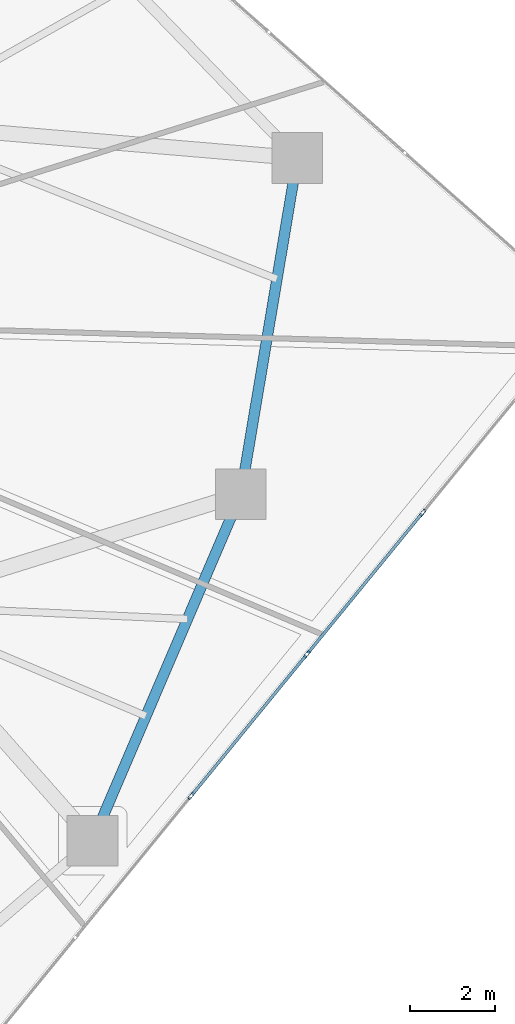
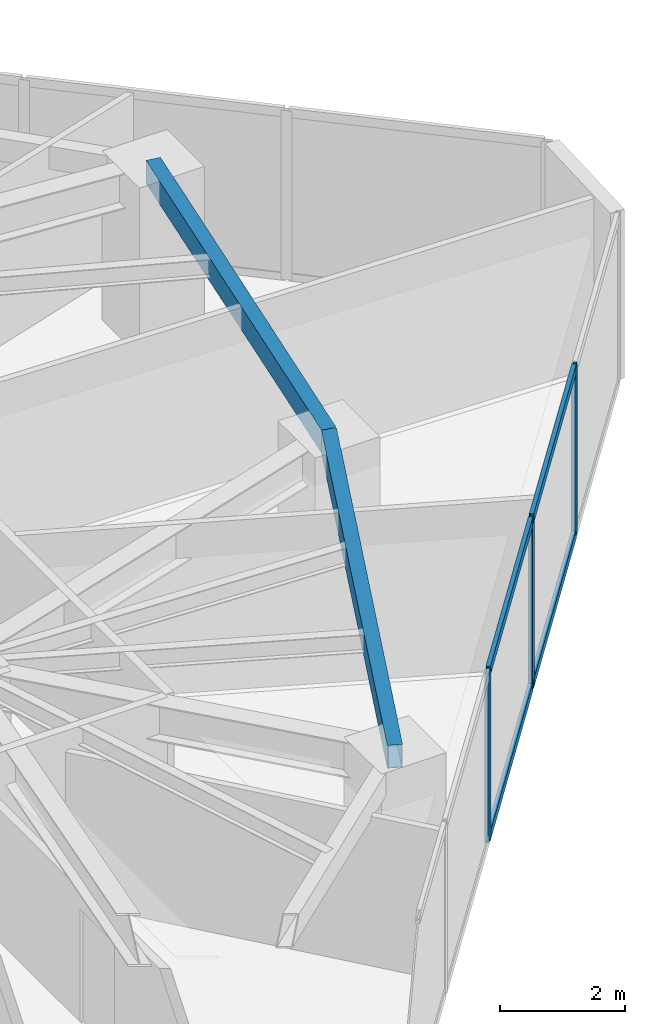
# One storey, part 12 of 24: 7 members, 2 beams, 1 element without a shape of its own.
"""IFC4 building model written with IfcOpenShell, lengths in metres."""

from ifc_helpers import new_model, si_unit, direction, frame, origin, origin_2d, place, context, subcontext, project, spatial, hollow_rectangle, extrude, source, transform, mapped, material, layer, layer_set, material_profile, profile_set, type_object, type_shapes, element, aggregate, save


model = new_model("IFC4")

# Units and contexts
model_context = context("Model", 3, precision=1e-05, world=origin(), true_north=direction((0.0, 1.0)))
body_context = subcontext(model_context, "Body", "Model", "MODEL_VIEW")
ifc_project = project(units=[si_unit("LENGTHUNIT", "METRE"), si_unit("AREAUNIT", "SQUARE_METRE"), si_unit("VOLUMEUNIT", "CUBIC_METRE"), si_unit("PLANEANGLEUNIT", "RADIAN"), si_unit("MASSUNIT", "GRAM", prefix="KILO")], contexts=[model_context])

# Site, building, storey
site_placement = place(None, origin())
site = spatial("IfcSite", under=ifc_project, at=site_placement, CompositionType="ELEMENT")
building_placement = place(site_placement, origin())
building = spatial("IfcBuilding", under=site, at=building_placement, Name="Talar Marvaseh", CompositionType="ELEMENT")
storey_placement = place(building_placement, frame((0.0, 0.0, 111.0)))
storey = spatial("IfcBuildingStorey", under=building, at=storey_placement, Name="L28", CompositionType="ELEMENT", Elevation=111.0)

# Beams
ifc_material_1 = material(Name="Steel S355", Category="steel")
ifc_material_profile_1 = material_profile(ifc_material_1, hollow_rectangle(XDim=0.25, YDim=0.449951171875, WallThickness=0.01611328125, at=origin_2d()), Name="RHS450x250x16")
ifc_profile_set_1 = profile_set([ifc_material_profile_1], Name="Steel S355")
beam_type = type_object("IfcBeamType", Name="Zone 2 Perimeter Spandrel Beam RHS450x250x16", PredefinedType="SPANDREL", material=ifc_profile_set_1)
beam_1_placement = place(storey_placement, frame((43.0439453125, 36.075927734375, 3.0849609375), z_axis=(-0.165641685249, -0.986186002795, 0.0), x_axis=(0.986186002795, -0.165641685249, 0.0)))
element("IfcBeam", 1, at=beam_1_placement, inside=storey, type_object=beam_type, Name="L28 Zone 2 Perimeter Spandrel Beam RHS450x250x16", PredefinedType="SPANDREL", context=body_context, shape_type="SweptSolid", body=[
    extrude(hollow_rectangle(XDim=0.25, YDim=0.449951171875, WallThickness=0.01611328125, at=origin_2d()), origin(), (0.0, 0.0, 1.0), 8.059326171875),
])
beam_2_placement = place(storey_placement, frame((41.708984375, 28.1279296875, 3.0849609375), z_axis=(-0.393369955619, -0.919380268451, 0.0), x_axis=(0.919380268451, -0.393369955619, 0.0)))
element("IfcBeam", 2, at=beam_2_placement, inside=storey, type_object=beam_type, Name="L28 Zone 2 Perimeter Spandrel Beam RHS450x250x16", PredefinedType="SPANDREL", context=body_context, shape_type="SweptSolid", body=[
    extrude(hollow_rectangle(XDim=0.25, YDim=0.449951171875, WallThickness=0.01611328125, at=origin_2d()), origin(), (0.0, 0.0, 1.0), 8.905029296875),
])

# Curtain wall, members
ifc_material_2 = material(Name="Architectural Aluminium", Category="aluminium")
ifc_layer = layer(ifc_material_2, 0.199951171875)
ifc_layer_set = layer_set([ifc_layer], Name="Architectural Aluminium")
curtain_wall_type = type_object("IfcCurtainWallType", Name="Unitised Acoustic Library Curtain Wall Z2", PredefinedType="NOTDEFINED", material=ifc_layer_set)
curtain_wall_placement = place(storey_placement, origin())
curtain_wall = element("IfcCurtainWall", 3, at=curtain_wall_placement, inside=storey, type_object=curtain_wall_type, Name="L28 Unitised Acoustic Library Curtain Wall Z2", PredefinedType="NOTDEFINED")
ifc_material_profile_2 = material_profile(ifc_material_2, hollow_rectangle(XDim=0.074951171875, YDim=0.179931640625, WallThickness=0.0048828125, at=origin_2d()), Name="RHS180x75x5")
ifc_profile_set_2 = profile_set([ifc_material_profile_2], Name="Architectural Aluminium")
member_type_1 = type_object("IfcMemberType", Name="Unitised Curtain Wall Standard Mullion RHS180x75x5", PredefinedType="MULLION", material=ifc_profile_set_2)
shared_shape_1 = source(origin(), body_context, "Body", "SweptSolid", [
    extrude(hollow_rectangle(XDim=0.074951171875, YDim=0.179931640625, WallThickness=0.0048828125, at=origin_2d()), origin(), (0.0, 0.0, 1.0), 3.31005859375),
])
type_shapes(member_type_1, [shared_shape_1])
member_1_placement = place(storey_placement, frame((46.00732421875, 27.697509765625, 0.0), z_axis=(0.0, 0.0, 1.0), x_axis=(0.774295813589, -0.632823824661, 0.0)))
member_1 = element("IfcMember", 4, at=member_1_placement, type_object=member_type_1, Name="CW-Z2 mullion 2", PredefinedType="MULLION", context=body_context, shape_type="MappedRepresentation", body=[
    mapped(shared_shape_1, transform((0.0, 0.0, 0.0), x_axis=(1.0, 0.0, 0.0), y_axis=(0.0, 1.0, 0.0), z_axis=(0.0, 0.0, 1.0), scale=1.0)),
])
member_2_placement = place(storey_placement, frame((43.271240234375, 24.349609375, 0.0), z_axis=(0.0, 0.0, 1.0), x_axis=(0.774295813589, -0.632823824661, 0.0)))
member_2 = element("IfcMember", 5, at=member_2_placement, type_object=member_type_1, Name="CW-Z2 mullion 3", PredefinedType="MULLION", context=body_context, shape_type="MappedRepresentation", body=[
    mapped(shared_shape_1, transform((0.0, 0.0, 0.0), x_axis=(1.0, 0.0, 0.0), y_axis=(0.0, 1.0, 0.0), z_axis=(0.0, 0.0, 1.0), scale=1.0)),
])
member_3_placement = place(storey_placement, frame((40.535400390625, 21.001953125, 0.0), z_axis=(0.0, 0.0, 1.0), x_axis=(0.774295813589, -0.632823824661, 0.0)))
member_3 = element("IfcMember", 6, at=member_3_placement, type_object=member_type_1, Name="CW-Z2 mullion 4", PredefinedType="MULLION", context=body_context, shape_type="MappedRepresentation", body=[
    mapped(shared_shape_1, transform((0.0, 0.0, 0.0), x_axis=(1.0, 0.0, 0.0), y_axis=(0.0, 1.0, 0.0), z_axis=(0.0, 0.0, 1.0), scale=1.0)),
])
ifc_material_profile_3 = material_profile(ifc_material_2, hollow_rectangle(XDim=0.074951171875, YDim=0.179931640625, WallThickness=0.0048828125, at=origin_2d()), Name="RHS180x75x5")
ifc_profile_set_3 = profile_set([ifc_material_profile_3], Name="Architectural Aluminium")
member_type_2 = type_object("IfcMemberType", Name="Unitised Curtain Wall Transom RHS180x75x5", PredefinedType="USERDEFINED", material=ifc_profile_set_3)
shared_shape_2 = source(origin(), body_context, "Body", "SweptSolid", [
    extrude(hollow_rectangle(XDim=0.074951171875, YDim=0.179931640625, WallThickness=0.0048828125, at=origin_2d()), origin(), (0.0, 0.0, 1.0), 4.24853515625),
])
type_shapes(member_type_2, [shared_shape_2])
member_4_placement = place(storey_placement, frame((45.983642578125, 27.66845703125, 0.03759765625), z_axis=(-0.632790207231, -0.774323287544, 0.0), x_axis=(0.774323287544, -0.632790207231, 0.0)))
member_4 = element("IfcMember", 7, at=member_4_placement, type_object=member_type_2, Name="CW-Z2 transom 2.1", ObjectType="TRANSOM", PredefinedType="USERDEFINED", context=body_context, shape_type="MappedRepresentation", body=[
    mapped(shared_shape_2, transform((0.0, 0.0, 0.0), x_axis=(1.0, 0.0, 0.0), y_axis=(0.0, 1.0, 0.0), z_axis=(0.0, 0.0, 1.0), scale=1.0)),
])
member_5_placement = place(storey_placement, frame((45.983642578125, 27.66845703125, 3.2724609375), z_axis=(-0.632790207231, -0.774323287544, 0.0), x_axis=(0.774323287544, -0.632790207231, 0.0)))
member_5 = element("IfcMember", 8, at=member_5_placement, type_object=member_type_2, Name="CW-Z2 transom 2.2", ObjectType="TRANSOM", PredefinedType="USERDEFINED", context=body_context, shape_type="MappedRepresentation", body=[
    mapped(shared_shape_2, transform((0.0, 0.0, 0.0), x_axis=(1.0, 0.0, 0.0), y_axis=(0.0, 1.0, 0.0), z_axis=(0.0, 0.0, 1.0), scale=1.0)),
])
member_6_placement = place(storey_placement, frame((43.24755859375, 24.320556640625, 0.03759765625), z_axis=(-0.632818364367, -0.774300276197, 0.0), x_axis=(0.774300276197, -0.632818364367, 0.0)))
member_6 = element("IfcMember", 9, at=member_6_placement, type_object=member_type_2, Name="CW-Z2 transom 3.1", ObjectType="TRANSOM", PredefinedType="USERDEFINED", context=body_context, shape_type="MappedRepresentation", body=[
    mapped(shared_shape_2, transform((0.0, 0.0, 0.0), x_axis=(1.0, 0.0, 0.0), y_axis=(0.0, 1.0, 0.0), z_axis=(0.0, 0.0, 1.0), scale=1.0)),
])
member_7_placement = place(storey_placement, frame((43.24755859375, 24.320556640625, 3.2724609375), z_axis=(-0.632818364367, -0.774300276197, 0.0), x_axis=(0.774300276197, -0.632818364367, 0.0)))
member_7 = element("IfcMember", 10, at=member_7_placement, type_object=member_type_2, Name="CW-Z2 transom 3.2", ObjectType="TRANSOM", PredefinedType="USERDEFINED", context=body_context, shape_type="MappedRepresentation", body=[
    mapped(shared_shape_2, transform((0.0, 0.0, 0.0), x_axis=(1.0, 0.0, 0.0), y_axis=(0.0, 1.0, 0.0), z_axis=(0.0, 0.0, 1.0), scale=1.0)),
])
aggregate(curtain_wall, [member_1, member_2, member_3, member_4, member_5, member_6, member_7])

save(model, "model.ifc")
